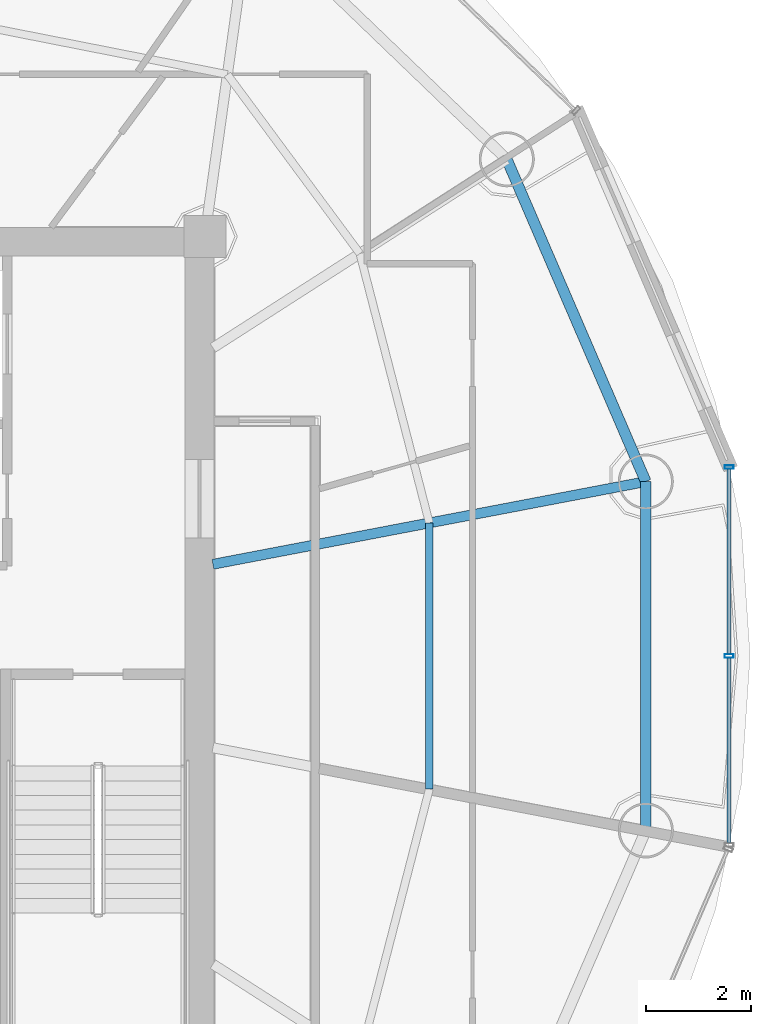
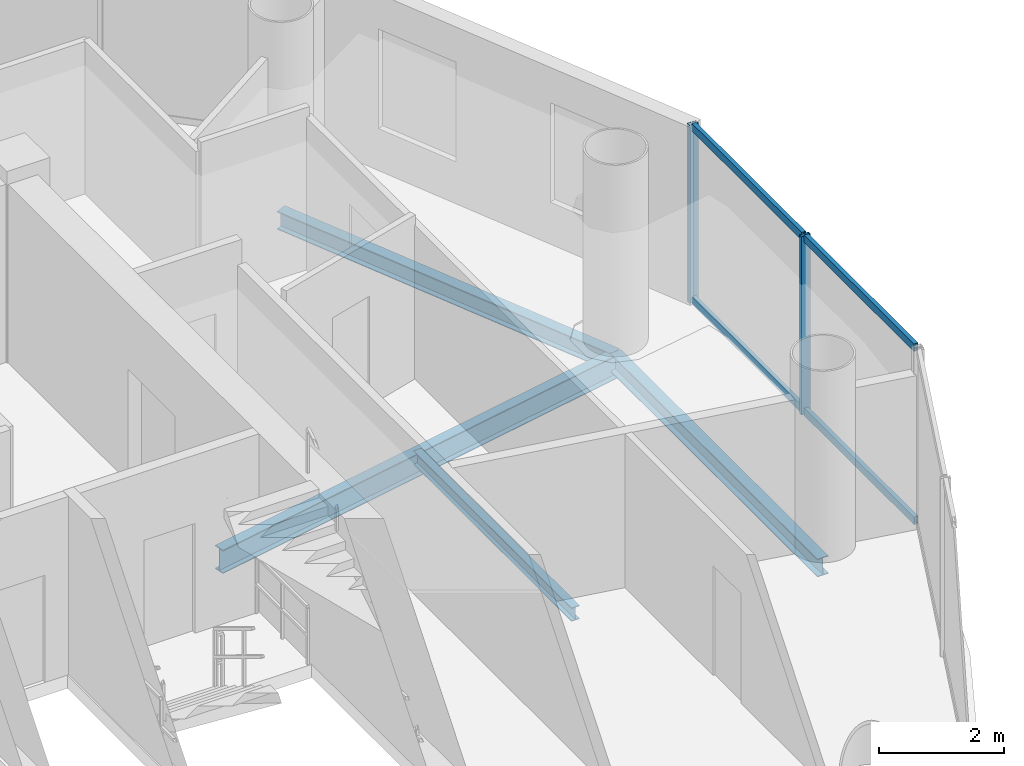
# One storey, part 12 of 24: 6 members, 4 beams, 1 element without a shape of its own.
"""IFC4 building model written with IfcOpenShell, lengths in metres."""

from ifc_helpers import new_model, si_unit, direction, frame, origin, origin_2d, place, context, subcontext, project, spatial, hollow_rectangle, i_section, extrude, source, transform, mapped, material, material_profile, profile_set, type_object, element, aggregate, save


model = new_model("IFC4")

# Units and contexts
model_context = context("Model", 3, precision=1e-05, world=origin(), true_north=direction((-0.2419218956, 0.970295726276)))
body_context = subcontext(model_context, "Body", "Model", "MODEL_VIEW")
ifc_project = project(units=[si_unit("LENGTHUNIT", "METRE"), si_unit("AREAUNIT", "SQUARE_METRE"), si_unit("VOLUMEUNIT", "CUBIC_METRE"), si_unit("PLANEANGLEUNIT", "RADIAN"), si_unit("MASSUNIT", "GRAM", prefix="KILO")], contexts=[model_context])

# Site, building, storey
site_placement = place(None, origin())
site = spatial("IfcSite", under=ifc_project, at=site_placement, CompositionType="ELEMENT")
building_placement = place(site_placement, origin())
building = spatial("IfcBuilding", under=site, at=building_placement, Name="Cobrevalo Terracotta Tower", CompositionType="ELEMENT")
storey_placement = place(building_placement, frame((0.0, 0.0, 293.199951171875)))
storey = spatial("IfcBuildingStorey", under=building, at=storey_placement, Name="L77", CompositionType="ELEMENT", Elevation=293.199951171875)

# Beams
ifc_material_1 = material(Name="Steel S355", Category="steel")
ifc_material_profile_1 = material_profile(ifc_material_1, i_section(OverallWidth=0.19091796875, OverallDepth=0.4599609375, WebThickness=0.010009765625, FlangeThickness=0.01611328125, at=origin_2d()), Name="W 460x82")
ifc_profile_set_1 = profile_set([ifc_material_profile_1], Name="Steel S355")
beam_type_1 = type_object("IfcBeamType", Name="Structural Beam W 460x82 (Steel S355)", PredefinedType="BEAM", material=ifc_profile_set_1)
beam_1_placement = place(storey_placement, frame((55.408935546875, 30.126220703125, -0.489990234375), z_axis=(-0.982234917636, -0.187655446433, 0.0), x_axis=(0.187655446433, -0.982234917636, 0.0)))
element("IfcBeam", 1, at=beam_1_placement, inside=storey, type_object=beam_type_1, Name="L77 radial floor girder 01", PredefinedType="BEAM", context=body_context, shape_type="SweptSolid", body=[
    extrude(i_section(OverallWidth=0.19091796875, OverallDepth=0.4599609375, WebThickness=0.010009765625, FlangeThickness=0.01611328125, at=origin_2d()), origin(), (0.0, 0.0, 1.0), 8.403076171875),
])
ifc_material_profile_2 = material_profile(ifc_material_1, i_section(OverallWidth=0.14794921875, OverallDepth=0.26611328125, WebThickness=0.007568359375, FlangeThickness=0.012939453125, at=origin_2d()), Name="W 250x44.8")
ifc_profile_set_2 = profile_set([ifc_material_profile_2], Name="Steel S355")
beam_type_2 = type_object("IfcBeamType", Name="Structural Joist W 250x44.8 (Steel S355)", PredefinedType="JOIST", material=ifc_profile_set_2)
beam_2_placement = place(storey_placement, frame((51.281982421875, 24.26220703125, -0.39306640625), z_axis=(0.0, 1.0, 0.0), x_axis=(-1.0, 0.0, 0.0)))
element("IfcBeam", 2, at=beam_2_placement, inside=storey, type_object=beam_type_2, Name="L77 circumferential secondary floor joist 16", PredefinedType="JOIST", context=body_context, shape_type="SweptSolid", body=[
    extrude(i_section(OverallWidth=0.14794921875, OverallDepth=0.26611328125, WebThickness=0.007568359375, FlangeThickness=0.012939453125, at=origin_2d()), origin(), (0.0, 0.0, 1.0), 5.075439453125),
])
ifc_material_profile_3 = material_profile(ifc_material_1, i_section(OverallWidth=0.205078125, OverallDepth=0.35400390625, WebThickness=0.009521484375, FlangeThickness=0.016845703125, at=origin_2d()), Name="W 360x79")
ifc_profile_set_3 = profile_set([ifc_material_profile_3], Name="Steel S355")
beam_type_3 = type_object("IfcBeamType", Name="Structural Spandrel W 360x79 (Steel S355)", PredefinedType="SPANDREL", material=ifc_profile_set_3)
beam_3_placement = place(storey_placement, frame((55.408935546875, 30.126220703125, -0.43701171875), z_axis=(-0.395974127655, 0.918261667624, 0.0), x_axis=(-0.918261667624, -0.395974127655, 0.0)))
element("IfcBeam", 3, at=beam_3_placement, inside=storey, type_object=beam_type_3, Name="L77 perimeter ring spandrel 01", PredefinedType="SPANDREL", context=body_context, shape_type="SweptSolid", body=[
    extrude(i_section(OverallWidth=0.205078125, OverallDepth=0.35400390625, WebThickness=0.009521484375, FlangeThickness=0.016845703125, at=origin_2d()), origin(), (0.0, 0.0, 1.0), 6.693359375),
])
beam_4_placement = place(storey_placement, frame((55.408935546875, 23.4736328125, -0.43701171875), z_axis=(0.0, 1.0, 0.0), x_axis=(-1.0, 0.0, 0.0)))
element("IfcBeam", 4, at=beam_4_placement, inside=storey, type_object=beam_type_3, Name="L77 perimeter ring spandrel 16", PredefinedType="SPANDREL", context=body_context, shape_type="SweptSolid", body=[
    extrude(i_section(OverallWidth=0.205078125, OverallDepth=0.35400390625, WebThickness=0.009521484375, FlangeThickness=0.016845703125, at=origin_2d()), origin(), (0.0, 0.0, 1.0), 6.652587890625),
])

# Curtain wall, members
ifc_material_2 = material(Name="Anodized aluminium", Category="aluminium")
curtain_wall_type = type_object("IfcCurtainWallType", Name="Upper-tower triple-glazed penthouse curtain wall CW-U3", PredefinedType="NOTDEFINED", material=ifc_material_2)
curtain_wall_placement = place(storey_placement, origin())
curtain_wall = element("IfcCurtainWall", 5, at=curtain_wall_placement, inside=storey, type_object=curtain_wall_type, Name="L77 curtain wall CW-L77-S16", PredefinedType="NOTDEFINED")
ifc_material_profile_4 = material_profile(ifc_material_2, hollow_rectangle(XDim=0.070068359375, YDim=0.169921875, WallThickness=0.00439453125, at=origin_2d()), Name="CWM 70x170")
ifc_profile_set_4 = profile_set([ifc_material_profile_4], Name="Anodized aluminium")
member_type_1 = type_object("IfcMemberType", Name="Upper tower unitised mullion 70x170", PredefinedType="MULLION", material=ifc_profile_set_4)
shared_shape_1 = source(origin(), body_context, "Body", "SweptSolid", [
    extrude(hollow_rectangle(XDim=0.070068359375, YDim=0.169921875, WallThickness=0.00439453125, at=origin_2d()), origin(), (0.0, 0.0, 1.0), 3.489990234375),
])
member_1_placement = place(storey_placement, frame((56.997802734375, 26.800048828125, 0.0), z_axis=(0.0, 0.0, 1.0), x_axis=(0.0, 1.0, 0.0)))
member_1 = element("IfcMember", 6, at=member_1_placement, type_object=member_type_1, Name="CW-L77-S16 vertical mullion 02", PredefinedType="MULLION", context=body_context, shape_type="MappedRepresentation", body=[
    mapped(shared_shape_1, transform((0.0, 0.0, 0.0), scale=1.0)),
])
member_2_placement = place(storey_placement, frame((56.997802734375, 30.40234375, 0.0), z_axis=(0.0, 0.0, 1.0), x_axis=(0.0, 1.0, 0.0)))
member_2 = element("IfcMember", 7, at=member_2_placement, type_object=member_type_1, Name="CW-L77-S16 vertical mullion 03", PredefinedType="MULLION", context=body_context, shape_type="MappedRepresentation", body=[
    mapped(shared_shape_1, transform((0.0, 0.0, 0.0), scale=1.0)),
])
ifc_material_profile_5 = material_profile(ifc_material_2, hollow_rectangle(XDim=0.074951171875, YDim=0.14990234375, WallThickness=0.00439453125, at=origin_2d()), Name="CWT 75x150")
ifc_profile_set_5 = profile_set([ifc_material_profile_5], Name="Anodized aluminium")
member_type_2 = type_object("IfcMemberType", Name="Tower unitised aluminium transom 75x150", PredefinedType="USERDEFINED", material=ifc_profile_set_5)
shared_shape_2 = source(origin(), body_context, "Body", "SweptSolid", [
    extrude(hollow_rectangle(XDim=0.074951171875, YDim=0.14990234375, WallThickness=0.00439453125, at=origin_2d()), origin(), (0.0, 0.0, 1.0), 3.522216796875),
])
member_3_placement = place(storey_placement, frame((56.997802734375, 26.840087890625, 0.050048828125), z_axis=(0.0, 1.0, 0.0), x_axis=(-1.0, 0.0, 0.0)))
member_3 = element("IfcMember", 8, at=member_3_placement, type_object=member_type_2, Name="CW-L77-S16 transom B02-T1", ObjectType="TRANSOM", PredefinedType="USERDEFINED", context=body_context, shape_type="MappedRepresentation", body=[
    mapped(shared_shape_2, transform((0.0, 0.0, 0.0), scale=1.0)),
])
member_4_placement = place(storey_placement, frame((56.997802734375, 26.840087890625, 3.43994140625), z_axis=(0.0, 1.0, 0.0), x_axis=(-1.0, 0.0, 0.0)))
member_4 = element("IfcMember", 9, at=member_4_placement, type_object=member_type_2, Name="CW-L77-S16 transom B02-T2", ObjectType="TRANSOM", PredefinedType="USERDEFINED", context=body_context, shape_type="MappedRepresentation", body=[
    mapped(shared_shape_2, transform((0.0, 0.0, 0.0), scale=1.0)),
])
shared_shape_3 = source(origin(), body_context, "Body", "SweptSolid", [
    extrude(hollow_rectangle(XDim=0.074951171875, YDim=0.14990234375, WallThickness=0.00439453125, at=origin_2d()), origin(), (0.0, 0.0, 1.0), 3.5224609375),
])
member_5_placement = place(storey_placement, frame((56.997802734375, 23.237548828125, 0.050048828125), z_axis=(0.0, 1.0, 0.0), x_axis=(-1.0, 0.0, 0.0)))
member_5 = element("IfcMember", 10, at=member_5_placement, type_object=member_type_2, Name="CW-L77-S16 transom B01-T1", ObjectType="TRANSOM", PredefinedType="USERDEFINED", context=body_context, shape_type="MappedRepresentation", body=[
    mapped(shared_shape_3, transform((0.0, 0.0, 0.0), scale=1.0)),
])
member_6_placement = place(storey_placement, frame((56.997802734375, 23.237548828125, 3.43994140625), z_axis=(0.0, 1.0, 0.0), x_axis=(-1.0, 0.0, 0.0)))
member_6 = element("IfcMember", 11, at=member_6_placement, type_object=member_type_2, Name="CW-L77-S16 transom B01-T2", ObjectType="TRANSOM", PredefinedType="USERDEFINED", context=body_context, shape_type="MappedRepresentation", body=[
    mapped(shared_shape_3, transform((0.0, 0.0, 0.0), scale=1.0)),
])
aggregate(curtain_wall, [member_1, member_2, member_5, member_6, member_3, member_4])

save(model, "model.ifc")
